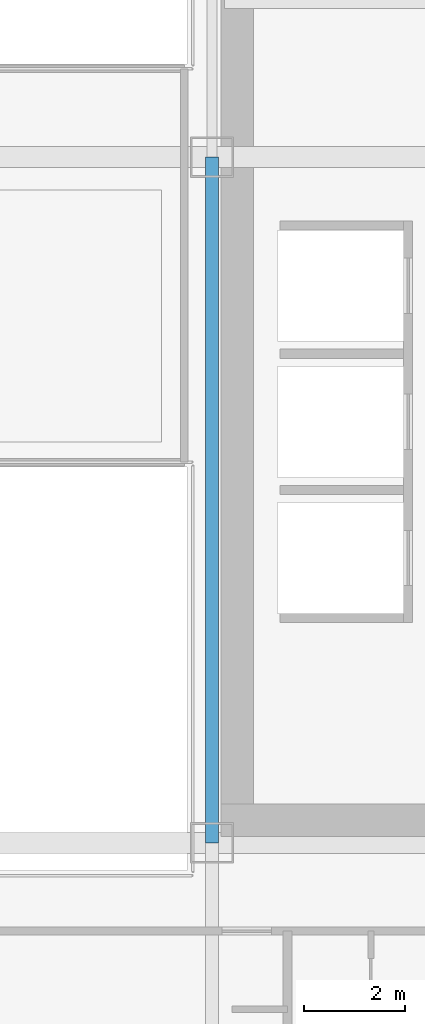
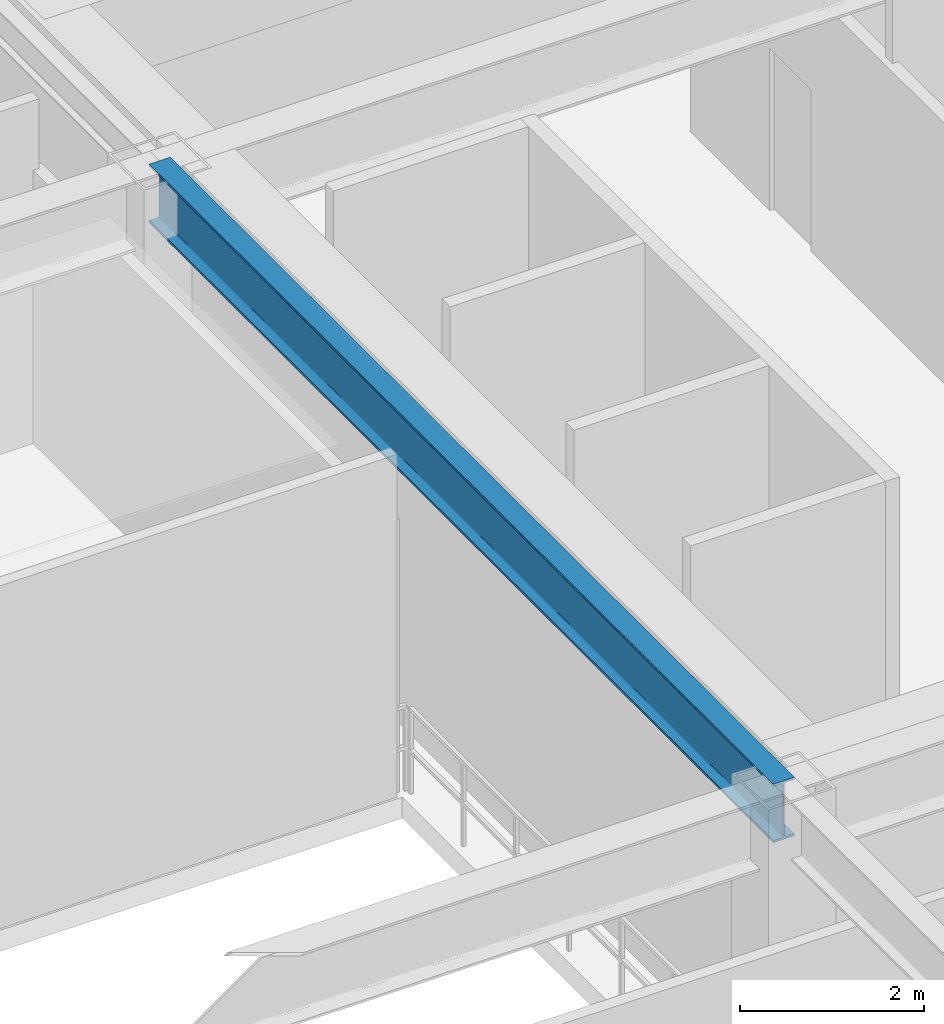
# One storey, part 13 of 38: 1 beam.
"""IFC4 building model written with IfcOpenShell, lengths in metres."""

from ifc_helpers import new_model, si_unit, direction, frame, origin, origin_2d, place, context, subcontext, project, spatial, i_section, extrude, source, transform, mapped, material, material_profile, profile_set, type_object, element, save


model = new_model("IFC4")

# Units and contexts
model_context = context("Model", 3, precision=1e-05, world=origin(), true_north=direction((0.0, 1.0)))
body_context = subcontext(model_context, "Body", "Model", "MODEL_VIEW")
ifc_project = project(units=[si_unit("LENGTHUNIT", "METRE"), si_unit("AREAUNIT", "SQUARE_METRE"), si_unit("VOLUMEUNIT", "CUBIC_METRE"), si_unit("PLANEANGLEUNIT", "RADIAN"), si_unit("MASSUNIT", "GRAM", prefix="KILO")], contexts=[model_context])

# Site, building, storey
site_placement = place(None, origin())
site = spatial("IfcSite", under=ifc_project, at=site_placement, CompositionType="ELEMENT")
building_placement = place(site_placement, origin())
building = spatial("IfcBuilding", under=site, at=building_placement, Name="Ocotamira Hotel", CompositionType="ELEMENT")
storey_placement = place(building_placement, frame((0.0, 0.0, 92.39990234375)))
storey = spatial("IfcBuildingStorey", under=building, at=storey_placement, Name="L22", CompositionType="ELEMENT", Elevation=92.39990234375)

# Beam
ifc_material = material(Name="Steel ASTM A992 Grade 50", Category="steel")
ifc_material_profile = material_profile(ifc_material, i_section(OverallWidth=0.26611328125, OverallDepth=0.779052734375, WebThickness=0.0166015625, FlangeThickness=0.030029296875, FilletRadius=0.01806640625, at=origin_2d()), Name="W30X148")
ifc_profile_set = profile_set([ifc_material_profile], Name="Steel ASTM A992 Grade 50")
beam_type = type_object("IfcBeamType", Name="BM-GIRD-W30X148", PredefinedType="BEAM", material=ifc_profile_set)
shared_shape = source(origin(), body_context, "Body", "SweptSolid", [
    extrude(i_section(OverallWidth=0.26611328125, OverallDepth=0.779052734375, WebThickness=0.0166015625, FlangeThickness=0.030029296875, FilletRadius=0.01806640625, at=origin_2d()), origin(), (0.0, 0.0, 1.0), 13.599853515625),
])
beam_placement = place(storey_placement, frame((40.5, 14.550048828125, 4.170654296875), z_axis=(0.0, 1.0, 0.0), x_axis=(-1.0, 0.0, 0.0)))
element("IfcBeam", 1, at=beam_placement, inside=storey, type_object=beam_type, Name="L22 Beam X40.5 Y14.55-28.15", PredefinedType="BEAM", context=body_context, shape_type="MappedRepresentation", body=[
    mapped(shared_shape, transform((0.0, 0.0, 0.0), scale=1.0)),
])

save(model, "model.ifc")
